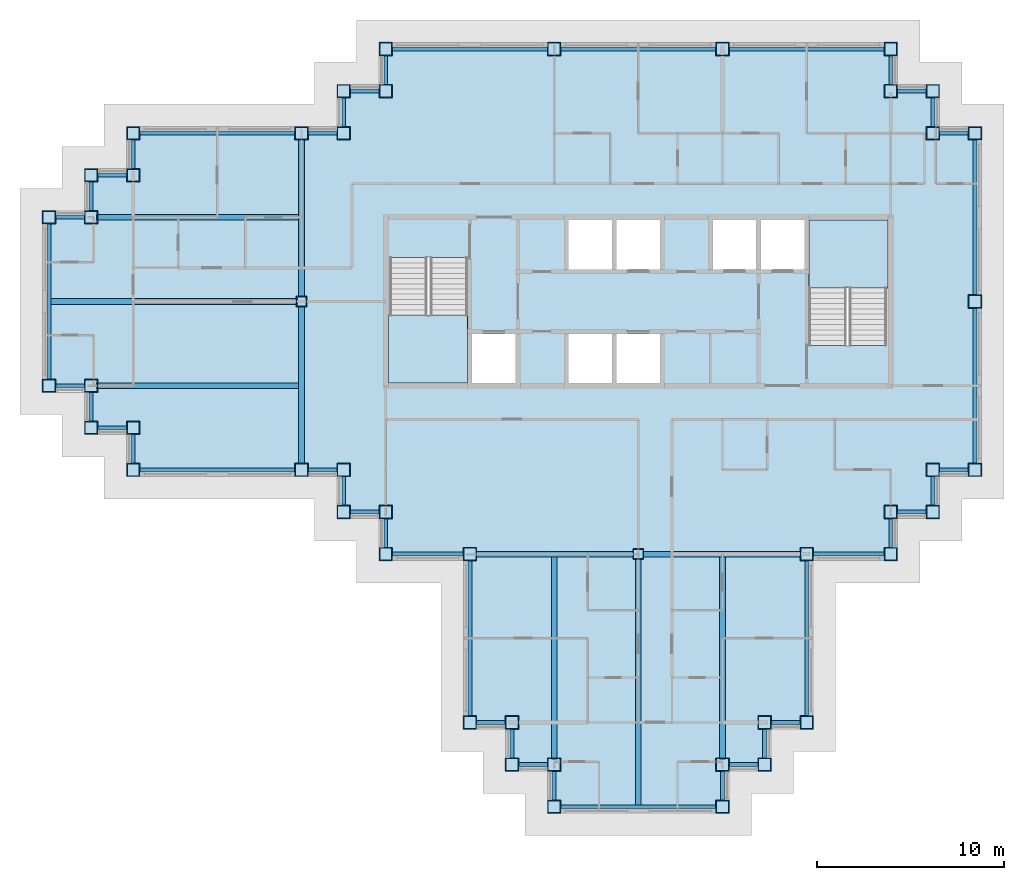
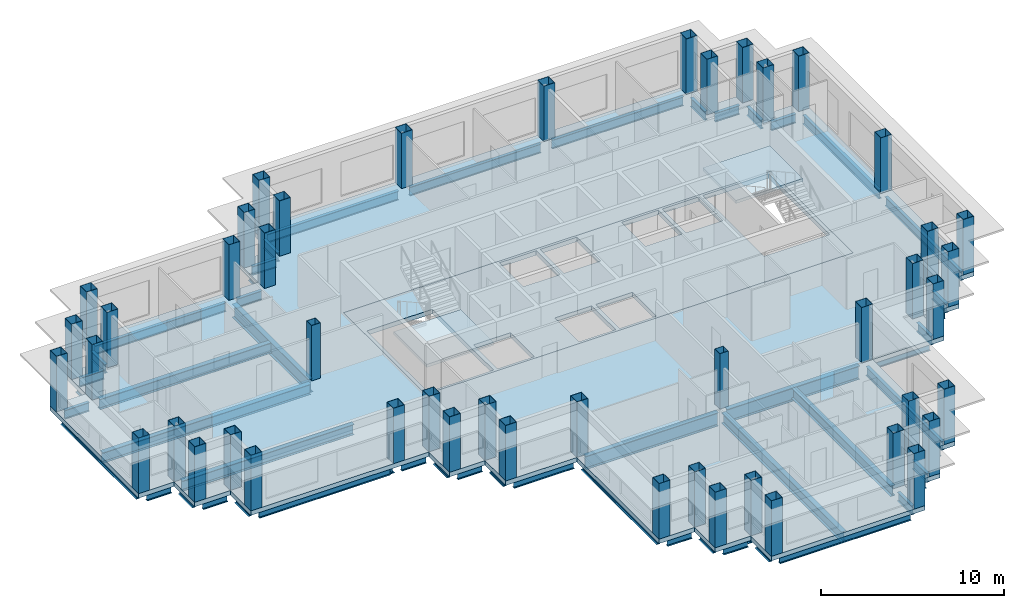
# One storey, part 1 of 12: 55 beams, 47 columns, 4 slabs, 2 elements without a shape of their own.
"""IFC4 building model written with IfcOpenShell, lengths in metres."""

from ifc_helpers import new_model, si_unit, direction, frame, origin, origin_2d, place, context, subcontext, project, spatial, polyline, hollow_rectangle, i_section, outline, extrude, material, layer, layer_set, material_profile, profile_set, type_object, element, aggregate, save


model = new_model("IFC4")

# Units and contexts
model_context = context("Model", 3, precision=1e-05, world=origin(), true_north=direction((0.0, 1.0)))
body_context = subcontext(model_context, "Body", "Model", "MODEL_VIEW")
ifc_project = project(units=[si_unit("LENGTHUNIT", "METRE"), si_unit("AREAUNIT", "SQUARE_METRE"), si_unit("VOLUMEUNIT", "CUBIC_METRE"), si_unit("PLANEANGLEUNIT", "RADIAN"), si_unit("MASSUNIT", "GRAM", prefix="KILO")], contexts=[model_context])

# Site, building, storey
site_placement = place(None, origin())
site = spatial("IfcSite", under=ifc_project, at=site_placement, CompositionType="ELEMENT")
building_placement = place(site_placement, origin())
building = spatial("IfcBuilding", under=site, at=building_placement, Name="Caravel Reach Hotel and Residences", CompositionType="ELEMENT")
storey_placement = place(building_placement, frame((0.0, 0.0, 196.10009765625)))
storey = spatial("IfcBuildingStorey", under=building, at=storey_placement, Name="L49", CompositionType="ELEMENT", Elevation=196.10009765625)

# Columns
ifc_material_1 = material(Name="Concrete-filled steel tube Q390B with Concrete C60 infill", Category="concrete")
ifc_material_profile_1 = material_profile(ifc_material_1, hollow_rectangle(XDim=0.550048828125, YDim=0.550048828125, WallThickness=0.01806640625, at=origin_2d()), Name="RHS 550x550x18")
ifc_profile_set_1 = profile_set([ifc_material_profile_1], Name="Concrete-filled steel tube Q390B with Concrete C60 infill")
column_type_1 = type_object("IfcColumnType", Name="CFT 550x550 Q390B C60", PredefinedType="COLUMN", material=ifc_profile_set_1)
for number, where, z_axis, x_axis, name in (
    (1, (31.5, 13.5, 0.0), (0.0, 0.0, 1.0), (1.0, 0.0, 0.0), "C18 column"),
    (2, (13.5, 27.0, 0.0), (0.0, 0.0, 1.0), (1.0, 0.0, 0.0), "C18 column"),
):
    element("IfcColumn", number, at=place(storey_placement, frame(where, z_axis=z_axis, x_axis=x_axis)), inside=storey, type_object=column_type_1, Name=name, PredefinedType="COLUMN", context=body_context, shape_type="SweptSolid", body=[
        extrude(hollow_rectangle(XDim=0.550048828125, YDim=0.550048828125, WallThickness=0.01806640625, at=origin_2d()), origin(), (0.0, 0.0, 1.0), 3.699951171875),
    ])
ifc_material_2 = material(Name="Concrete-filled steel tube Q390B with Concrete C60 infill", Category="concrete")
ifc_material_profile_2 = material_profile(ifc_material_2, hollow_rectangle(XDim=0.699951171875, YDim=0.699951171875, WallThickness=0.02197265625, at=origin_2d()), Name="RHS 700x700x22")
ifc_profile_set_2 = profile_set([ifc_material_profile_2], Name="Concrete-filled steel tube Q390B with Concrete C60 infill")
column_type_2 = type_object("IfcColumnType", Name="CFT 700x700 Q390B C60", PredefinedType="COLUMN", material=ifc_profile_set_2)
for number, where, z_axis, x_axis, name in (
    (3, (40.5, 13.5, 0.0), (0.0, 0.0, 1.0), (1.0, 0.0, 0.0), "C7 column"),
    (4, (45.0, 13.5, 0.0), (0.0, 0.0, 1.0), (1.0, 0.0, 0.0), "C7 column"),
    (5, (45.0, 15.75, 0.0), (0.0, 0.0, 1.0), (1.0, 0.0, 0.0), "C7 column"),
    (6, (47.25, 15.75, 0.0), (0.0, 0.0, 1.0), (1.0, 0.0, 0.0), "C7 column"),
    (7, (47.25, 18.0, 0.0), (0.0, 0.0, 1.0), (1.0, 0.0, 0.0), "C7 column"),
    (8, (49.5, 18.0, 0.0), (0.0, 0.0, 1.0), (1.0, 0.0, 0.0), "C7 column"),
    (9, (49.5, 27.0, 0.0), (0.0, 0.0, 1.0), (1.0, 0.0, 0.0), "C7 column"),
    (10, (49.5, 36.0, 0.0), (0.0, 0.0, 1.0), (1.0, 0.0, 0.0), "C7 column"),
    (11, (47.25, 36.0, 0.0), (0.0, 0.0, 1.0), (1.0, 0.0, 0.0), "C7 column"),
    (12, (47.25, 38.25, 0.0), (0.0, 0.0, 1.0), (1.0, 0.0, 0.0), "C7 column"),
    (13, (45.0, 38.25, 0.0), (0.0, 0.0, 1.0), (1.0, 0.0, 0.0), "C7 column"),
    (14, (45.0, 40.5, 0.0), (0.0, 0.0, 1.0), (1.0, 0.0, 0.0), "C7 column"),
    (15, (36.0, 40.5, 0.0), (0.0, 0.0, 1.0), (1.0, 0.0, 0.0), "C7 column"),
    (16, (27.0, 40.5, 0.0), (0.0, 0.0, 1.0), (1.0, 0.0, 0.0), "C7 column"),
    (17, (18.0, 40.5, 0.0), (0.0, 0.0, 1.0), (1.0, 0.0, 0.0), "C7 column"),
    (18, (18.0, 38.25, 0.0), (0.0, 0.0, 1.0), (1.0, 0.0, 0.0), "C7 column"),
    (19, (15.75, 38.25, 0.0), (0.0, 0.0, 1.0), (1.0, 0.0, 0.0), "C7 column"),
    (20, (15.75, 36.0, 0.0), (0.0, 0.0, 1.0), (1.0, 0.0, 0.0), "C7 column"),
    (21, (13.5, 36.0, 0.0), (0.0, 0.0, 1.0), (1.0, 0.0, 0.0), "C7 column"),
    (22, (4.5, 36.0, 0.0), (0.0, 0.0, 1.0), (1.0, 0.0, 0.0), "C7 column"),
    (23, (4.5, 33.75, 0.0), (0.0, 0.0, 1.0), (1.0, 0.0, 0.0), "C7 column"),
    (24, (2.25, 33.75, 0.0), (0.0, 0.0, 1.0), (1.0, 0.0, 0.0), "C7 column"),
    (25, (2.25, 31.5, 0.0), (0.0, 0.0, 1.0), (1.0, 0.0, 0.0), "C7 column"),
    (26, (0.0, 31.5, 0.0), (0.0, 0.0, 1.0), (1.0, 0.0, 0.0), "C7 column"),
    (27, (0.0, 22.5, 0.0), (0.0, 0.0, 1.0), (1.0, 0.0, 0.0), "C7 column"),
    (28, (2.25, 22.5, 0.0), (0.0, 0.0, 1.0), (1.0, 0.0, 0.0), "C7 column"),
    (29, (2.25, 20.25, 0.0), (0.0, 0.0, 1.0), (1.0, 0.0, 0.0), "C7 column"),
    (30, (4.5, 20.25, 0.0), (0.0, 0.0, 1.0), (1.0, 0.0, 0.0), "C7 column"),
    (31, (4.5, 18.0, 0.0), (0.0, 0.0, 1.0), (1.0, 0.0, 0.0), "C7 column"),
    (32, (13.5, 18.0, 0.0), (0.0, 0.0, 1.0), (1.0, 0.0, 0.0), "C7 column"),
    (33, (15.75, 18.0, 0.0), (0.0, 0.0, 1.0), (1.0, 0.0, 0.0), "C7 column"),
    (34, (15.75, 15.75, 0.0), (0.0, 0.0, 1.0), (1.0, 0.0, 0.0), "C7 column"),
    (35, (18.0, 15.75, 0.0), (0.0, 0.0, 1.0), (1.0, 0.0, 0.0), "C7 column"),
    (36, (18.0, 13.5, 0.0), (0.0, 0.0, 1.0), (1.0, 0.0, 0.0), "C7 column"),
    (37, (22.5, 13.5, 0.0), (0.0, 0.0, 1.0), (1.0, 0.0, 0.0), "C7 column"),
    (38, (22.5, 4.5, 0.0), (0.0, 0.0, 1.0), (1.0, 0.0, 0.0), "C7 column"),
    (39, (24.75, 4.5, 0.0), (0.0, 0.0, 1.0), (1.0, 0.0, 0.0), "C7 column"),
    (40, (24.75, 2.25, 0.0), (0.0, 0.0, 1.0), (1.0, 0.0, 0.0), "C7 column"),
    (41, (27.0, 2.25, 0.0), (0.0, 0.0, 1.0), (1.0, 0.0, 0.0), "C7 column"),
    (42, (27.0, 0.0, 0.0), (0.0, 0.0, 1.0), (1.0, 0.0, 0.0), "C7 column"),
    (43, (36.0, 0.0, 0.0), (0.0, 0.0, 1.0), (1.0, 0.0, 0.0), "C7 column"),
    (44, (36.0, 2.25, 0.0), (0.0, 0.0, 1.0), (1.0, 0.0, 0.0), "C7 column"),
    (45, (38.25, 2.25, 0.0), (0.0, 0.0, 1.0), (1.0, 0.0, 0.0), "C7 column"),
    (46, (38.25, 4.5, 0.0), (0.0, 0.0, 1.0), (1.0, 0.0, 0.0), "C7 column"),
    (47, (40.5, 4.5, 0.0), (0.0, 0.0, 1.0), (1.0, 0.0, 0.0), "C7 column"),
):
    element("IfcColumn", number, at=place(storey_placement, frame(where, z_axis=z_axis, x_axis=x_axis)), inside=storey, type_object=column_type_2, Name=name, PredefinedType="COLUMN", context=body_context, shape_type="SweptSolid", body=[
        extrude(hollow_rectangle(XDim=0.699951171875, YDim=0.699951171875, WallThickness=0.02197265625, at=origin_2d()), origin(), (0.0, 0.0, 1.0), 3.699951171875),
    ])

# Beams
ifc_material_3 = material(Name="Structural steel Q355B", Category="steel")
ifc_material_profile_3 = material_profile(ifc_material_3, i_section(OverallWidth=0.300048828125, OverallDepth=0.699951171875, WebThickness=0.012939453125, FlangeThickness=0.02392578125, FilletRadius=0.01806640625, at=origin_2d()), Name="HN 700x300x13x24")
ifc_profile_set_3 = profile_set([ifc_material_profile_3], Name="Structural steel Q355B")
beam_type_1 = type_object("IfcBeamType", Name="Beam HN 700x300x13x24", PredefinedType="BEAM", material=ifc_profile_set_3)
beam_1_placement = place(storey_placement, frame((27.0, 13.39990234375, -0.650146484375), z_axis=(0.0, -1.0, 0.0), x_axis=(1.0, 0.0, 0.0)))
element("IfcBeam", 48, at=beam_1_placement, inside=storey, type_object=beam_type_1, Name="B2 HN 700x300x13x24", PredefinedType="BEAM", context=body_context, shape_type="SweptSolid", body=[
    extrude(i_section(OverallWidth=0.300048828125, OverallDepth=0.699951171875, WebThickness=0.012939453125, FlangeThickness=0.02392578125, FilletRadius=0.01806640625, at=origin_2d()), origin(), (0.0, 0.0, 1.0), 10.849853515625),
])
beam_2_placement = place(storey_placement, frame((31.5, 13.27490234375, -0.650146484375), z_axis=(0.0, -1.0, 0.0), x_axis=(1.0, 0.0, 0.0)))
element("IfcBeam", 49, at=beam_2_placement, inside=storey, type_object=beam_type_1, Name="B2 HN 700x300x13x24", PredefinedType="BEAM", context=body_context, shape_type="SweptSolid", body=[
    extrude(i_section(OverallWidth=0.300048828125, OverallDepth=0.699951171875, WebThickness=0.012939453125, FlangeThickness=0.02392578125, FilletRadius=0.01806640625, at=origin_2d()), origin(), (0.0, 0.0, 1.0), 13.1748046875),
])
for number, where, z_axis, x_axis, name in (
    (50, (36.0, 13.39990234375, -0.650146484375), (0.0, -1.0, 0.0), (1.0, 0.0, 0.0), "B2 HN 700x300x13x24"),
    (51, (13.39990234375, 22.5, -0.650146484375), (-1.0, 0.0, 0.0), (0.0, -1.0, 0.0), "B2 HN 700x300x13x24"),
):
    element("IfcBeam", number, at=place(storey_placement, frame(where, z_axis=z_axis, x_axis=x_axis)), inside=storey, type_object=beam_type_1, Name=name, PredefinedType="BEAM", context=body_context, shape_type="SweptSolid", body=[
        extrude(i_section(OverallWidth=0.300048828125, OverallDepth=0.699951171875, WebThickness=0.012939453125, FlangeThickness=0.02392578125, FilletRadius=0.01806640625, at=origin_2d()), origin(), (0.0, 0.0, 1.0), 10.849853515625),
    ])
beam_3_placement = place(storey_placement, frame((13.27490234375, 27.0, -0.650146484375), z_axis=(-1.0, 0.0, 0.0), x_axis=(0.0, -1.0, 0.0)))
element("IfcBeam", 52, at=beam_3_placement, inside=storey, type_object=beam_type_1, Name="B2 HN 700x300x13x24", PredefinedType="BEAM", context=body_context, shape_type="SweptSolid", body=[
    extrude(i_section(OverallWidth=0.300048828125, OverallDepth=0.699951171875, WebThickness=0.012939453125, FlangeThickness=0.02392578125, FilletRadius=0.01806640625, at=origin_2d()), origin(), (0.0, 0.0, 1.0), 13.1748046875),
])
beam_4_placement = place(storey_placement, frame((13.39990234375, 31.5, -0.650146484375), z_axis=(-1.0, 0.0, 0.0), x_axis=(0.0, -1.0, 0.0)))
element("IfcBeam", 53, at=beam_4_placement, inside=storey, type_object=beam_type_1, Name="B2 HN 700x300x13x24", PredefinedType="BEAM", context=body_context, shape_type="SweptSolid", body=[
    extrude(i_section(OverallWidth=0.300048828125, OverallDepth=0.699951171875, WebThickness=0.012939453125, FlangeThickness=0.02392578125, FilletRadius=0.01806640625, at=origin_2d()), origin(), (0.0, 0.0, 1.0), 10.849853515625),
])
ifc_material_4 = material(Name="Structural steel Q355B", Category="steel")
ifc_material_profile_4 = material_profile(ifc_material_4, i_section(OverallWidth=0.300048828125, OverallDepth=0.89990234375, WebThickness=0.01611328125, FlangeThickness=0.028076171875, FilletRadius=0.01806640625, at=origin_2d()), Name="HN 900x300x16x28")
ifc_profile_set_4 = profile_set([ifc_material_profile_4], Name="Structural steel Q355B")
beam_type_2 = type_object("IfcBeamType", Name="Beam HN 900x300x16x28", PredefinedType="BEAM", material=ifc_profile_set_4)
for number, where, z_axis, x_axis, name in (
    (54, (22.85009765625, 13.5, -0.75), (1.0, 0.0, 0.0), (0.0, 1.0, 0.0), "B3 HN 900x300x16x28"),
    (55, (31.77490234375, 13.5, -0.75), (1.0, 0.0, 0.0), (0.0, 1.0, 0.0), "B3 HN 900x300x16x28"),
    (56, (13.5, 18.35009765625, -0.75), (0.0, 1.0, 0.0), (-1.0, 0.0, 0.0), "B3 HN 900x300x16x28"),
    (57, (13.5, 27.27490234375, -0.75), (0.0, 1.0, 0.0), (-1.0, 0.0, 0.0), "B3 HN 900x300x16x28"),
):
    element("IfcBeam", number, at=place(storey_placement, frame(where, z_axis=z_axis, x_axis=x_axis)), inside=storey, type_object=beam_type_2, Name=name, PredefinedType="BEAM", context=body_context, shape_type="SweptSolid", body=[
        extrude(i_section(OverallWidth=0.300048828125, OverallDepth=0.89990234375, WebThickness=0.01611328125, FlangeThickness=0.028076171875, FilletRadius=0.01806640625, at=origin_2d()), origin(), (0.0, 0.0, 1.0), 8.375),
    ])
ifc_material_5 = material(Name="Structural steel Q355B", Category="steel")
ifc_material_profile_5 = material_profile(ifc_material_5, i_section(OverallWidth=0.199951171875, OverallDepth=0.60009765625, WebThickness=0.010986328125, FlangeThickness=0.01708984375, FilletRadius=0.012939453125, at=origin_2d()), Name="HN 600x200x11x17")
ifc_profile_set_5 = profile_set([ifc_material_profile_5], Name="Structural steel Q355B")
beam_type_3 = type_object("IfcBeamType", Name="Spandrel beam HN 600x200x11x17", PredefinedType="SPANDREL", material=ifc_profile_set_5)
beam_5_placement = place(storey_placement, frame((40.85009765625, 13.5, -0.60009765625), z_axis=(1.0, 0.0, 0.0), x_axis=(0.0, 1.0, 0.0)))
element("IfcBeam", 58, at=beam_5_placement, inside=storey, type_object=beam_type_3, Name="SP1 HN 600x200x11x17", PredefinedType="SPANDREL", context=body_context, shape_type="SweptSolid", body=[
    extrude(i_section(OverallWidth=0.199951171875, OverallDepth=0.60009765625, WebThickness=0.010986328125, FlangeThickness=0.01708984375, FilletRadius=0.012939453125, at=origin_2d()), origin(), (0.0, 0.0, 1.0), 3.7998046875),
])
for number, where, z_axis, x_axis, name in (
    (59, (45.0, 13.85009765625, -0.60009765625), (0.0, 1.0, 0.0), (-1.0, 0.0, 0.0), "SP1 HN 600x200x11x17"),
    (60, (45.35009765625, 15.75, -0.60009765625), (1.0, 0.0, 0.0), (0.0, 1.0, 0.0), "SP1 HN 600x200x11x17"),
    (61, (47.25, 16.10009765625, -0.60009765625), (0.0, 1.0, 0.0), (-1.0, 0.0, 0.0), "SP1 HN 600x200x11x17"),
    (62, (47.60009765625, 18.0, -0.60009765625), (1.0, 0.0, 0.0), (0.0, 1.0, 0.0), "SP1 HN 600x200x11x17"),
):
    element("IfcBeam", number, at=place(storey_placement, frame(where, z_axis=z_axis, x_axis=x_axis)), inside=storey, type_object=beam_type_3, Name=name, PredefinedType="SPANDREL", context=body_context, shape_type="SweptSolid", body=[
        extrude(i_section(OverallWidth=0.199951171875, OverallDepth=0.60009765625, WebThickness=0.010986328125, FlangeThickness=0.01708984375, FilletRadius=0.012939453125, at=origin_2d()), origin(), (0.0, 0.0, 1.0), 1.5498046875),
    ])
for number, where, z_axis, x_axis, name in (
    (63, (49.5, 18.35009765625, -0.60009765625), (0.0, 1.0, 0.0), (-1.0, 0.0, 0.0), "SP1 HN 600x200x11x17"),
    (64, (49.5, 27.35009765625, -0.60009765625), (0.0, 1.0, 0.0), (-1.0, 0.0, 0.0), "SP1 HN 600x200x11x17"),
):
    element("IfcBeam", number, at=place(storey_placement, frame(where, z_axis=z_axis, x_axis=x_axis)), inside=storey, type_object=beam_type_3, Name=name, PredefinedType="SPANDREL", context=body_context, shape_type="SweptSolid", body=[
        extrude(i_section(OverallWidth=0.199951171875, OverallDepth=0.60009765625, WebThickness=0.010986328125, FlangeThickness=0.01708984375, FilletRadius=0.012939453125, at=origin_2d()), origin(), (0.0, 0.0, 1.0), 8.2998046875),
    ])
for number, where, z_axis, x_axis, name in (
    (65, (49.14990234375, 36.0, -0.60009765625), (-1.0, 0.0, 0.0), (0.0, -1.0, 0.0), "SP1 HN 600x200x11x17"),
    (66, (47.25, 36.35009765625, -0.60009765625), (0.0, 1.0, 0.0), (-1.0, 0.0, 0.0), "SP1 HN 600x200x11x17"),
    (67, (46.89990234375, 38.25, -0.60009765625), (-1.0, 0.0, 0.0), (0.0, -1.0, 0.0), "SP1 HN 600x200x11x17"),
    (68, (45.0, 38.60009765625, -0.60009765625), (0.0, 1.0, 0.0), (-1.0, 0.0, 0.0), "SP1 HN 600x200x11x17"),
):
    element("IfcBeam", number, at=place(storey_placement, frame(where, z_axis=z_axis, x_axis=x_axis)), inside=storey, type_object=beam_type_3, Name=name, PredefinedType="SPANDREL", context=body_context, shape_type="SweptSolid", body=[
        extrude(i_section(OverallWidth=0.199951171875, OverallDepth=0.60009765625, WebThickness=0.010986328125, FlangeThickness=0.01708984375, FilletRadius=0.012939453125, at=origin_2d()), origin(), (0.0, 0.0, 1.0), 1.5498046875),
    ])
for number, where, z_axis, x_axis, name in (
    (69, (44.64990234375, 40.5, -0.60009765625), (-1.0, 0.0, 0.0), (0.0, -1.0, 0.0), "SP1 HN 600x200x11x17"),
    (70, (35.64990234375, 40.5, -0.60009765625), (-1.0, 0.0, 0.0), (0.0, -1.0, 0.0), "SP1 HN 600x200x11x17"),
    (71, (26.64990234375, 40.5, -0.60009765625), (-1.0, 0.0, 0.0), (0.0, -1.0, 0.0), "SP1 HN 600x200x11x17"),
):
    element("IfcBeam", number, at=place(storey_placement, frame(where, z_axis=z_axis, x_axis=x_axis)), inside=storey, type_object=beam_type_3, Name=name, PredefinedType="SPANDREL", context=body_context, shape_type="SweptSolid", body=[
        extrude(i_section(OverallWidth=0.199951171875, OverallDepth=0.60009765625, WebThickness=0.010986328125, FlangeThickness=0.01708984375, FilletRadius=0.012939453125, at=origin_2d()), origin(), (0.0, 0.0, 1.0), 8.2998046875),
    ])
for number, where, z_axis, x_axis, name in (
    (72, (18.0, 40.14990234375, -0.60009765625), (0.0, -1.0, 0.0), (1.0, 0.0, 0.0), "SP1 HN 600x200x11x17"),
    (73, (17.64990234375, 38.25, -0.60009765625), (-1.0, 0.0, 0.0), (0.0, -1.0, 0.0), "SP1 HN 600x200x11x17"),
    (74, (15.75, 37.89990234375, -0.60009765625), (0.0, -1.0, 0.0), (1.0, 0.0, 0.0), "SP1 HN 600x200x11x17"),
    (75, (15.39990234375, 36.0, -0.60009765625), (-1.0, 0.0, 0.0), (0.0, -1.0, 0.0), "SP1 HN 600x200x11x17"),
):
    element("IfcBeam", number, at=place(storey_placement, frame(where, z_axis=z_axis, x_axis=x_axis)), inside=storey, type_object=beam_type_3, Name=name, PredefinedType="SPANDREL", context=body_context, shape_type="SweptSolid", body=[
        extrude(i_section(OverallWidth=0.199951171875, OverallDepth=0.60009765625, WebThickness=0.010986328125, FlangeThickness=0.01708984375, FilletRadius=0.012939453125, at=origin_2d()), origin(), (0.0, 0.0, 1.0), 1.5498046875),
    ])
beam_6_placement = place(storey_placement, frame((13.14990234375, 36.0, -0.60009765625), z_axis=(-1.0, 0.0, 0.0), x_axis=(0.0, -1.0, 0.0)))
element("IfcBeam", 76, at=beam_6_placement, inside=storey, type_object=beam_type_3, Name="SP1 HN 600x200x11x17", PredefinedType="SPANDREL", context=body_context, shape_type="SweptSolid", body=[
    extrude(i_section(OverallWidth=0.199951171875, OverallDepth=0.60009765625, WebThickness=0.010986328125, FlangeThickness=0.01708984375, FilletRadius=0.012939453125, at=origin_2d()), origin(), (0.0, 0.0, 1.0), 8.2998046875),
])
for number, where, z_axis, x_axis, name in (
    (77, (4.5, 35.64990234375, -0.60009765625), (0.0, -1.0, 0.0), (1.0, 0.0, 0.0), "SP1 HN 600x200x11x17"),
    (78, (4.14990234375, 33.75, -0.60009765625), (-1.0, 0.0, 0.0), (0.0, -1.0, 0.0), "SP1 HN 600x200x11x17"),
    (79, (2.25, 33.39990234375, -0.60009765625), (0.0, -1.0, 0.0), (1.0, 0.0, 0.0), "SP1 HN 600x200x11x17"),
    (80, (1.89990234375, 31.5, -0.60009765625), (-1.0, 0.0, 0.0), (0.0, -1.0, 0.0), "SP1 HN 600x200x11x17"),
):
    element("IfcBeam", number, at=place(storey_placement, frame(where, z_axis=z_axis, x_axis=x_axis)), inside=storey, type_object=beam_type_3, Name=name, PredefinedType="SPANDREL", context=body_context, shape_type="SweptSolid", body=[
        extrude(i_section(OverallWidth=0.199951171875, OverallDepth=0.60009765625, WebThickness=0.010986328125, FlangeThickness=0.01708984375, FilletRadius=0.012939453125, at=origin_2d()), origin(), (0.0, 0.0, 1.0), 1.5498046875),
    ])
beam_7_placement = place(storey_placement, frame((0.0, 31.14990234375, -0.60009765625), z_axis=(0.0, -1.0, 0.0), x_axis=(1.0, 0.0, 0.0)))
element("IfcBeam", 81, at=beam_7_placement, inside=storey, type_object=beam_type_3, Name="SP1 HN 600x200x11x17", PredefinedType="SPANDREL", context=body_context, shape_type="SweptSolid", body=[
    extrude(i_section(OverallWidth=0.199951171875, OverallDepth=0.60009765625, WebThickness=0.010986328125, FlangeThickness=0.01708984375, FilletRadius=0.012939453125, at=origin_2d()), origin(), (0.0, 0.0, 1.0), 8.2998046875),
])
for number, where, z_axis, x_axis, name in (
    (82, (0.35009765625, 22.5, -0.60009765625), (1.0, 0.0, 0.0), (0.0, 1.0, 0.0), "SP1 HN 600x200x11x17"),
    (83, (2.25, 22.14990234375, -0.60009765625), (0.0, -1.0, 0.0), (1.0, 0.0, 0.0), "SP1 HN 600x200x11x17"),
    (84, (2.60009765625, 20.25, -0.60009765625), (1.0, 0.0, 0.0), (0.0, 1.0, 0.0), "SP1 HN 600x200x11x17"),
    (85, (4.5, 19.89990234375, -0.60009765625), (0.0, -1.0, 0.0), (1.0, 0.0, 0.0), "SP1 HN 600x200x11x17"),
):
    element("IfcBeam", number, at=place(storey_placement, frame(where, z_axis=z_axis, x_axis=x_axis)), inside=storey, type_object=beam_type_3, Name=name, PredefinedType="SPANDREL", context=body_context, shape_type="SweptSolid", body=[
        extrude(i_section(OverallWidth=0.199951171875, OverallDepth=0.60009765625, WebThickness=0.010986328125, FlangeThickness=0.01708984375, FilletRadius=0.012939453125, at=origin_2d()), origin(), (0.0, 0.0, 1.0), 1.5498046875),
    ])
beam_8_placement = place(storey_placement, frame((4.85009765625, 18.0, -0.60009765625), z_axis=(1.0, 0.0, 0.0), x_axis=(0.0, 1.0, 0.0)))
element("IfcBeam", 86, at=beam_8_placement, inside=storey, type_object=beam_type_3, Name="SP1 HN 600x200x11x17", PredefinedType="SPANDREL", context=body_context, shape_type="SweptSolid", body=[
    extrude(i_section(OverallWidth=0.199951171875, OverallDepth=0.60009765625, WebThickness=0.010986328125, FlangeThickness=0.01708984375, FilletRadius=0.012939453125, at=origin_2d()), origin(), (0.0, 0.0, 1.0), 8.2998046875),
])
for number, where, z_axis, x_axis, name in (
    (87, (13.85009765625, 18.0, -0.60009765625), (1.0, 0.0, 0.0), (0.0, 1.0, 0.0), "SP1 HN 600x200x11x17"),
    (88, (15.75, 17.64990234375, -0.60009765625), (0.0, -1.0, 0.0), (1.0, 0.0, 0.0), "SP1 HN 600x200x11x17"),
    (89, (16.10009765625, 15.75, -0.60009765625), (1.0, 0.0, 0.0), (0.0, 1.0, 0.0), "SP1 HN 600x200x11x17"),
    (90, (18.0, 15.39990234375, -0.60009765625), (0.0, -1.0, 0.0), (1.0, 0.0, 0.0), "SP1 HN 600x200x11x17"),
):
    element("IfcBeam", number, at=place(storey_placement, frame(where, z_axis=z_axis, x_axis=x_axis)), inside=storey, type_object=beam_type_3, Name=name, PredefinedType="SPANDREL", context=body_context, shape_type="SweptSolid", body=[
        extrude(i_section(OverallWidth=0.199951171875, OverallDepth=0.60009765625, WebThickness=0.010986328125, FlangeThickness=0.01708984375, FilletRadius=0.012939453125, at=origin_2d()), origin(), (0.0, 0.0, 1.0), 1.5498046875),
    ])
beam_9_placement = place(storey_placement, frame((18.35009765625, 13.5, -0.60009765625), z_axis=(1.0, 0.0, 0.0), x_axis=(0.0, 1.0, 0.0)))
element("IfcBeam", 91, at=beam_9_placement, inside=storey, type_object=beam_type_3, Name="SP1 HN 600x200x11x17", PredefinedType="SPANDREL", context=body_context, shape_type="SweptSolid", body=[
    extrude(i_section(OverallWidth=0.199951171875, OverallDepth=0.60009765625, WebThickness=0.010986328125, FlangeThickness=0.01708984375, FilletRadius=0.012939453125, at=origin_2d()), origin(), (0.0, 0.0, 1.0), 3.7998046875),
])
beam_10_placement = place(storey_placement, frame((22.5, 13.14990234375, -0.60009765625), z_axis=(0.0, -1.0, 0.0), x_axis=(1.0, 0.0, 0.0)))
element("IfcBeam", 92, at=beam_10_placement, inside=storey, type_object=beam_type_3, Name="SP1 HN 600x200x11x17", PredefinedType="SPANDREL", context=body_context, shape_type="SweptSolid", body=[
    extrude(i_section(OverallWidth=0.199951171875, OverallDepth=0.60009765625, WebThickness=0.010986328125, FlangeThickness=0.01708984375, FilletRadius=0.012939453125, at=origin_2d()), origin(), (0.0, 0.0, 1.0), 8.2998046875),
])
for number, where, z_axis, x_axis, name in (
    (93, (22.85009765625, 4.5, -0.60009765625), (1.0, 0.0, 0.0), (0.0, 1.0, 0.0), "SP1 HN 600x200x11x17"),
    (94, (24.75, 4.14990234375, -0.60009765625), (0.0, -1.0, 0.0), (1.0, 0.0, 0.0), "SP1 HN 600x200x11x17"),
    (95, (25.10009765625, 2.25, -0.60009765625), (1.0, 0.0, 0.0), (0.0, 1.0, 0.0), "SP1 HN 600x200x11x17"),
    (96, (27.0, 1.89990234375, -0.60009765625), (0.0, -1.0, 0.0), (1.0, 0.0, 0.0), "SP1 HN 600x200x11x17"),
):
    element("IfcBeam", number, at=place(storey_placement, frame(where, z_axis=z_axis, x_axis=x_axis)), inside=storey, type_object=beam_type_3, Name=name, PredefinedType="SPANDREL", context=body_context, shape_type="SweptSolid", body=[
        extrude(i_section(OverallWidth=0.199951171875, OverallDepth=0.60009765625, WebThickness=0.010986328125, FlangeThickness=0.01708984375, FilletRadius=0.012939453125, at=origin_2d()), origin(), (0.0, 0.0, 1.0), 1.5498046875),
    ])
beam_11_placement = place(storey_placement, frame((27.35009765625, 0.0, -0.60009765625), z_axis=(1.0, 0.0, 0.0), x_axis=(0.0, 1.0, 0.0)))
element("IfcBeam", 97, at=beam_11_placement, inside=storey, type_object=beam_type_3, Name="SP1 HN 600x200x11x17", PredefinedType="SPANDREL", context=body_context, shape_type="SweptSolid", body=[
    extrude(i_section(OverallWidth=0.199951171875, OverallDepth=0.60009765625, WebThickness=0.010986328125, FlangeThickness=0.01708984375, FilletRadius=0.012939453125, at=origin_2d()), origin(), (0.0, 0.0, 1.0), 8.2998046875),
])
for number, where, z_axis, x_axis, name in (
    (98, (36.0, 0.35009765625, -0.60009765625), (0.0, 1.0, 0.0), (-1.0, 0.0, 0.0), "SP1 HN 600x200x11x17"),
    (99, (36.35009765625, 2.25, -0.60009765625), (1.0, 0.0, 0.0), (0.0, 1.0, 0.0), "SP1 HN 600x200x11x17"),
    (100, (38.25, 2.60009765625, -0.60009765625), (0.0, 1.0, 0.0), (-1.0, 0.0, 0.0), "SP1 HN 600x200x11x17"),
    (101, (38.60009765625, 4.5, -0.60009765625), (1.0, 0.0, 0.0), (0.0, 1.0, 0.0), "SP1 HN 600x200x11x17"),
):
    element("IfcBeam", number, at=place(storey_placement, frame(where, z_axis=z_axis, x_axis=x_axis)), inside=storey, type_object=beam_type_3, Name=name, PredefinedType="SPANDREL", context=body_context, shape_type="SweptSolid", body=[
        extrude(i_section(OverallWidth=0.199951171875, OverallDepth=0.60009765625, WebThickness=0.010986328125, FlangeThickness=0.01708984375, FilletRadius=0.012939453125, at=origin_2d()), origin(), (0.0, 0.0, 1.0), 1.5498046875),
    ])
beam_12_placement = place(storey_placement, frame((40.5, 4.85009765625, -0.60009765625), z_axis=(0.0, 1.0, 0.0), x_axis=(-1.0, 0.0, 0.0)))
element("IfcBeam", 102, at=beam_12_placement, inside=storey, type_object=beam_type_3, Name="SP1 HN 600x200x11x17", PredefinedType="SPANDREL", context=body_context, shape_type="SweptSolid", body=[
    extrude(i_section(OverallWidth=0.199951171875, OverallDepth=0.60009765625, WebThickness=0.010986328125, FlangeThickness=0.01708984375, FilletRadius=0.012939453125, at=origin_2d()), origin(), (0.0, 0.0, 1.0), 8.2998046875),
])

# Slab
ifc_material_6 = material(Name="Concrete C40", Category="concrete")
ifc_layer_1 = layer(ifc_material_6, 0.300048828125)
ifc_layer_set_1 = layer_set([ifc_layer_1], Name="Core floor slab 300 mm")
slab_type_1 = type_object("IfcSlabType", Name="Core floor slab 300 mm", PredefinedType="FLOOR", material=ifc_layer_set_1)
slab_1_placement = place(storey_placement, frame((0.0, 0.0, -0.300048828125)))
element("IfcSlab", 103, at=slab_1_placement, inside=storey, type_object=slab_type_1, Name="L49 core floor", PredefinedType="FLOOR", context=body_context, shape_type="SweptSolid", body=[
    extrude(outline(polyline([(18.0, 31.5), (45.0, 31.5), (45.0, 22.5), (18.0, 22.5), (18.0, 31.5)]), holes=[polyline([(22.625, 25.27490234375), (22.625, 22.64990234375), (24.9462890625, 22.64990234375), (24.9462890625, 25.27490234375), (22.625, 25.27490234375)]), polyline([(27.767822265625, 25.27490234375), (27.767822265625, 22.64990234375), (30.08935546875, 22.64990234375), (30.08935546875, 25.27490234375), (27.767822265625, 25.27490234375)]), polyline([(30.33935546875, 25.27490234375), (30.33935546875, 22.64990234375), (32.66064453125, 22.64990234375), (32.66064453125, 25.27490234375), (30.33935546875, 25.27490234375)]), polyline([(22.375, 22.64990234375), (22.375, 29.35009765625), (18.22509765625, 29.35009765625), (18.22509765625, 22.64990234375), (22.375, 22.64990234375)]), polyline([(40.625, 31.35009765625), (40.625, 24.64990234375), (44.77490234375, 24.64990234375), (44.77490234375, 31.35009765625), (40.625, 31.35009765625)]), polyline([(27.767822265625, 31.35009765625), (27.767822265625, 28.72509765625), (30.08935546875, 28.72509765625), (30.08935546875, 31.35009765625), (27.767822265625, 31.35009765625)]), polyline([(30.33935546875, 31.35009765625), (30.33935546875, 28.72509765625), (32.66064453125, 28.72509765625), (32.66064453125, 31.35009765625), (30.33935546875, 31.35009765625)]), polyline([(37.8037109375, 31.35009765625), (35.482177734375, 31.35009765625), (35.482177734375, 28.72509765625), (37.8037109375, 28.72509765625), (37.8037109375, 31.35009765625)]), polyline([(40.375, 31.35009765625), (38.0537109375, 31.35009765625), (38.0537109375, 28.72509765625), (40.375, 28.72509765625), (40.375, 31.35009765625)])]), origin(), (0.0, 0.0, 1.0), 0.300048828125),
])

# Stair, slab
ifc_material_7 = material(Name="Concrete C40", Category="concrete")
stair_type = type_object("IfcStairType", Name="Core stair", PredefinedType="HALF_TURN_STAIR", material=ifc_material_7)
stair_1_placement = place(storey_placement, origin())
stair_1 = element("IfcStair", 104, at=stair_1_placement, inside=storey, type_object=stair_type, Name="L49 Exit stair A", PredefinedType="HALF_TURN_STAIR")
ifc_material_8 = material(Name="Concrete C40", Category="concrete")
ifc_layer_2 = layer(ifc_material_8, 0.199951171875)
ifc_layer_set_2 = layer_set([ifc_layer_2], Name="Core stair landing")
slab_type_2 = type_object("IfcSlabType", Name="Core stair landing", PredefinedType="LANDING", material=ifc_layer_set_2)
slab_2_placement = place(storey_placement, frame((0.0, 0.0, 1.64990234375)))
slab_2 = element("IfcSlab", 105, at=slab_2_placement, type_object=slab_type_2, Name="ST-A landing 1", PredefinedType="LANDING", context=body_context, shape_type="SweptSolid", body=[
    extrude(outline(polyline([(18.14990234375, 26.27001953125), (18.14990234375, 22.64990234375), (22.375, 22.64990234375), (22.375, 26.27001953125), (18.14990234375, 26.27001953125)])), origin(), (0.0, 0.0, 1.0), 0.199951171875),
])
aggregate(stair_1, [slab_2])

stair_2_placement = place(storey_placement, origin())
stair_2 = element("IfcStair", 106, at=stair_2_placement, inside=storey, type_object=stair_type, Name="L49 Exit stair B", PredefinedType="HALF_TURN_STAIR")
slab_3_placement = place(storey_placement, frame((0.0, 0.0, 1.64990234375)))
slab_3 = element("IfcSlab", 107, at=slab_3_placement, type_object=slab_type_2, Name="ST-B landing 1", PredefinedType="LANDING", context=body_context, shape_type="SweptSolid", body=[
    extrude(outline(polyline([(44.85009765625, 27.72998046875), (44.85009765625, 31.35009765625), (40.625, 31.35009765625), (40.625, 27.72998046875), (44.85009765625, 27.72998046875)])), origin(), (0.0, 0.0, 1.0), 0.199951171875),
])
aggregate(stair_2, [slab_3])

# Slab
ifc_material_9 = material(Name="Concrete C40 post-tensioned", Category="concrete")
ifc_layer_3 = layer(ifc_material_9, 0.300048828125)
ifc_layer_set_3 = layer_set([ifc_layer_3], Name="Floor slab 300")
slab_type_3 = type_object("IfcSlabType", Name="Floor slab 300", PredefinedType="FLOOR", material=ifc_layer_set_3)
slab_4_placement = place(storey_placement, frame((0.0, 0.0, -0.300048828125)))
element("IfcSlab", 108, at=slab_4_placement, inside=storey, type_object=slab_type_3, Name="S2 slab L49", PredefinedType="FLOOR", context=body_context, shape_type="SweptSolid", body=[
    extrude(outline(polyline([(38.60009765625, 4.14990234375), (38.60009765625, 1.89990234375), (36.35009765625, 1.89990234375), (36.35009765625, -0.35009765625), (26.64990234375, -0.35009765625), (26.64990234375, 1.89990234375), (24.39990234375, 1.89990234375), (24.39990234375, 4.14990234375), (22.14990234375, 4.14990234375), (22.14990234375, 13.14990234375), (17.64990234375, 13.14990234375), (17.64990234375, 15.39990234375), (15.39990234375, 15.39990234375), (15.39990234375, 17.64990234375), (4.14990234375, 17.64990234375), (4.14990234375, 19.89990234375), (1.89990234375, 19.89990234375), (1.89990234375, 22.14990234375), (-0.35009765625, 22.14990234375), (-0.35009765625, 31.85009765625), (1.89990234375, 31.85009765625), (1.89990234375, 34.10009765625), (4.14990234375, 34.10009765625), (4.14990234375, 36.35009765625), (15.39990234375, 36.35009765625), (15.39990234375, 38.60009765625), (17.64990234375, 38.60009765625), (17.64990234375, 40.85009765625), (45.35009765625, 40.85009765625), (45.35009765625, 38.60009765625), (47.60009765625, 38.60009765625), (47.60009765625, 36.35009765625), (49.85009765625, 36.35009765625), (49.85009765625, 17.64990234375), (47.60009765625, 17.64990234375), (47.60009765625, 15.39990234375), (45.35009765625, 15.39990234375), (45.35009765625, 13.14990234375), (40.85009765625, 13.14990234375), (40.85009765625, 4.14990234375), (38.60009765625, 4.14990234375)]), holes=[polyline([(45.0, 31.5), (18.0, 31.5), (18.0, 22.5), (45.0, 22.5), (45.0, 31.5)])]), origin(), (0.0, 0.0, 1.0), 0.300048828125),
])

save(model, "model.ifc")
